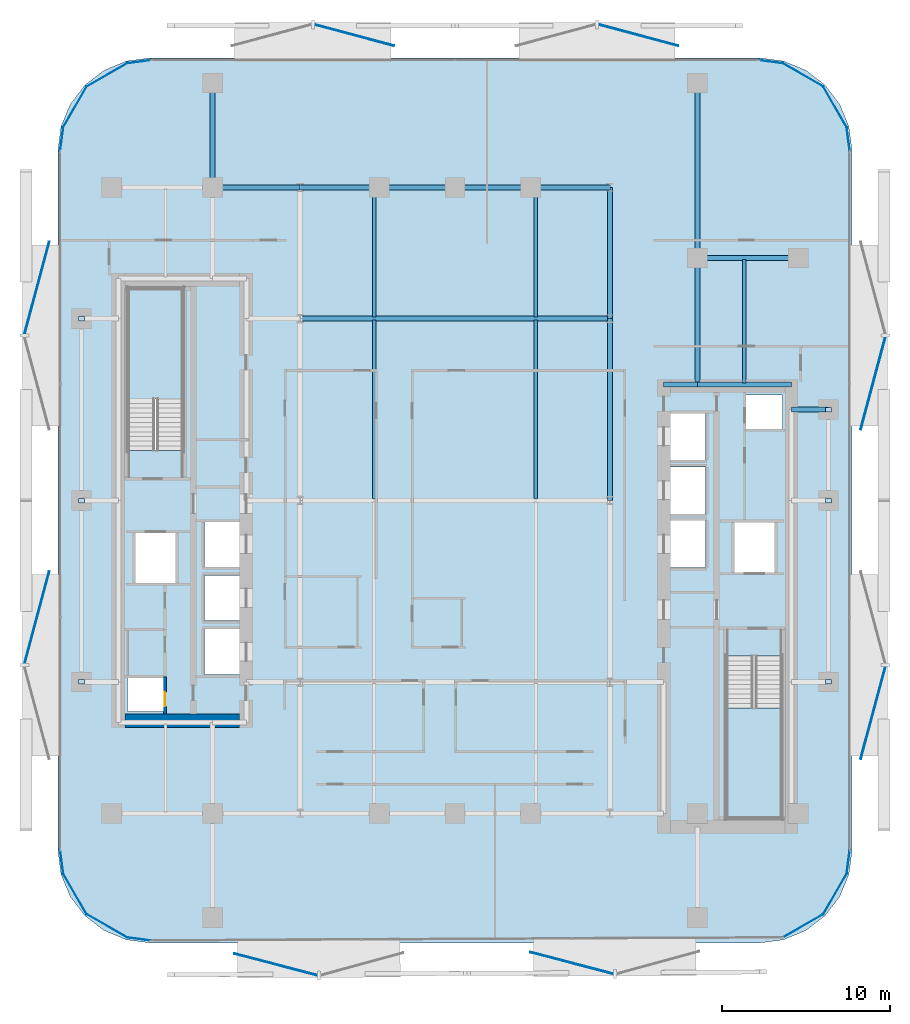
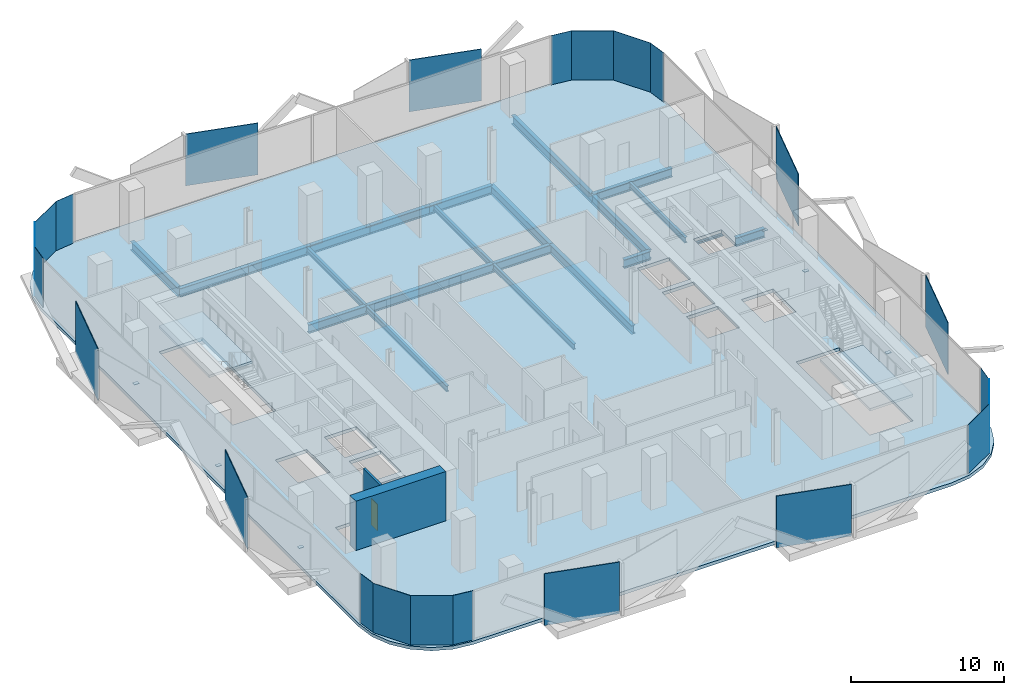
# One storey, part 2 of 15: 29 plates, 20 beams, 3 slabs, 2 walls, 1 door, 1 opening, 2 elements without a shape of their own.
"""IFC4 building model written with IfcOpenShell, lengths in metres."""

from ifc_helpers import new_model, si_unit, direction, frame, frame_2d, origin, origin_2d, place, context, subcontext, project, spatial, polyline, rectangle, i_section, outline, extrude, material, layer, layer_set, material_profile, profile_set, type_object, element, fill, aggregate, save


model = new_model("IFC4")

# Units and contexts
model_context = context("Model", 3, precision=1e-05, world=origin(), true_north=direction((0.0, 1.0)))
body_context = subcontext(model_context, "Body", "Model", "MODEL_VIEW")
ifc_project = project(units=[si_unit("LENGTHUNIT", "METRE"), si_unit("AREAUNIT", "SQUARE_METRE"), si_unit("VOLUMEUNIT", "CUBIC_METRE"), si_unit("PLANEANGLEUNIT", "RADIAN"), si_unit("MASSUNIT", "GRAM", prefix="KILO")], contexts=[model_context])

# Site, building, storey
site_placement = place(None, origin())
site = spatial("IfcSite", under=ifc_project, at=site_placement, CompositionType="ELEMENT")
building_placement = place(site_placement, origin())
building = spatial("IfcBuilding", under=site, at=building_placement, Name="Khairoan Windgate Tower", CompositionType="ELEMENT")
storey_placement = place(building_placement, frame((0.0, 0.0, 101.60009765625)))
storey = spatial("IfcBuildingStorey", under=building, at=storey_placement, Name="L23", CompositionType="ELEMENT", Elevation=101.60009765625)

# Beams
ifc_material_1 = material(Name="Steel S355", Category="steel")
ifc_material_profile_1 = material_profile(ifc_material_1, i_section(OverallWidth=0.300048828125, OverallDepth=0.699951171875, WebThickness=0.012939453125, FlangeThickness=0.02392578125, FilletRadius=0.02587890625, at=origin_2d()))
ifc_profile_set_1 = profile_set([ifc_material_profile_1], Name="Steel S355")
beam_type_1 = type_object("IfcBeamType", Name="Beam B-G3 H700x300x13x24", PredefinedType="BEAM", material=ifc_profile_set_1)
beam_1_placement = place(storey_placement, frame((20.0, 5.39990234375, -0.610107421875), z_axis=(1.0, 0.0, 0.0), x_axis=(0.0, 1.0, 0.0)))
element("IfcBeam", 1, at=beam_1_placement, inside=storey, type_object=beam_type_1, Name="L23 E-W Primary Girder 19", PredefinedType="BEAM", context=body_context, shape_type="SweptSolid", body=[
    extrude(i_section(OverallWidth=0.300048828125, OverallDepth=0.699951171875, WebThickness=0.012939453125, FlangeThickness=0.02392578125, FilletRadius=0.02587890625, at=origin_2d()), origin(), (0.0, 0.0, 1.0), 2.199951171875),
])
beam_2_placement = place(storey_placement, frame((12.39990234375, 6.89990234375, -0.610107421875), z_axis=(1.0, 0.0, 0.0), x_axis=(0.0, 1.0, 0.0)))
element("IfcBeam", 2, at=beam_2_placement, inside=storey, type_object=beam_type_1, Name="L23 E-W Primary Girder 20", PredefinedType="BEAM", context=body_context, shape_type="SweptSolid", body=[
    extrude(i_section(OverallWidth=0.300048828125, OverallDepth=0.699951171875, WebThickness=0.012939453125, FlangeThickness=0.02392578125, FilletRadius=0.02587890625, at=origin_2d()), origin(), (0.0, 0.0, 1.0), 2.0),
])
beam_3_placement = place(storey_placement, frame((14.39990234375, 6.89990234375, -0.610107421875), z_axis=(1.0, 0.0, 0.0), x_axis=(0.0, 1.0, 0.0)))
element("IfcBeam", 3, at=beam_3_placement, inside=storey, type_object=beam_type_1, Name="L23 E-W Primary Girder 21", PredefinedType="BEAM", context=body_context, shape_type="SweptSolid", body=[
    extrude(i_section(OverallWidth=0.300048828125, OverallDepth=0.699951171875, WebThickness=0.012939453125, FlangeThickness=0.02392578125, FilletRadius=0.02587890625, at=origin_2d()), origin(), (0.0, 0.0, 1.0), 5.60009765625),
])
beam_4_placement = place(storey_placement, frame((-9.199951171875, 10.800048828125, -0.610107421875), z_axis=(1.0, 0.0, 0.0), x_axis=(0.0, 1.0, 0.0)))
element("IfcBeam", 4, at=beam_4_placement, inside=storey, type_object=beam_type_1, Name="L23 E-W Primary Girder 24", PredefinedType="BEAM", context=body_context, shape_type="SweptSolid", body=[
    extrude(i_section(OverallWidth=0.300048828125, OverallDepth=0.699951171875, WebThickness=0.012939453125, FlangeThickness=0.02392578125, FilletRadius=0.02587890625, at=origin_2d()), origin(), (0.0, 0.0, 1.0), 18.39990234375),
])
beam_5_placement = place(storey_placement, frame((14.39990234375, 14.39990234375, -0.610107421875), z_axis=(1.0, 0.0, 0.0), x_axis=(0.0, 1.0, 0.0)))
element("IfcBeam", 5, at=beam_5_placement, inside=storey, type_object=beam_type_1, Name="L23 E-W Primary Girder 27", PredefinedType="BEAM", context=body_context, shape_type="SweptSolid", body=[
    extrude(i_section(OverallWidth=0.300048828125, OverallDepth=0.699951171875, WebThickness=0.012939453125, FlangeThickness=0.02392578125, FilletRadius=0.02587890625, at=origin_2d()), origin(), (0.0, 0.0, 1.0), 6.0),
])
beam_6_placement = place(storey_placement, frame((-14.39990234375, 18.60009765625, -0.610107421875), z_axis=(1.0, 0.0, 0.0), x_axis=(0.0, 1.0, 0.0)))
element("IfcBeam", 6, at=beam_6_placement, inside=storey, type_object=beam_type_1, Name="L23 E-W Primary Girder 29", PredefinedType="BEAM", context=body_context, shape_type="SweptSolid", body=[
    extrude(i_section(OverallWidth=0.300048828125, OverallDepth=0.699951171875, WebThickness=0.012939453125, FlangeThickness=0.02392578125, FilletRadius=0.02587890625, at=origin_2d()), origin(), (0.0, 0.0, 1.0), 5.199951171875),
])
beam_7_placement = place(storey_placement, frame((-9.199951171875, 18.60009765625, -0.610107421875), z_axis=(1.0, 0.0, 0.0), x_axis=(0.0, 1.0, 0.0)))
element("IfcBeam", 7, at=beam_7_placement, inside=storey, type_object=beam_type_1, Name="L23 E-W Primary Girder 30", PredefinedType="BEAM", context=body_context, shape_type="SweptSolid", body=[
    extrude(i_section(OverallWidth=0.300048828125, OverallDepth=0.699951171875, WebThickness=0.012939453125, FlangeThickness=0.02392578125, FilletRadius=0.02587890625, at=origin_2d()), origin(), (0.0, 0.0, 1.0), 4.699951171875),
])
for number, where, z_axis, x_axis, name in (
    (8, (-4.5, 18.60009765625, -0.610107421875), (1.0, 0.0, 0.0), (0.0, 1.0, 0.0), "L23 E-W Primary Girder 31"),
    (9, (0.0, 18.60009765625, -0.610107421875), (1.0, 0.0, 0.0), (0.0, 1.0, 0.0), "L23 E-W Primary Girder 32"),
):
    element("IfcBeam", number, at=place(storey_placement, frame(where, z_axis=z_axis, x_axis=x_axis)), inside=storey, type_object=beam_type_1, Name=name, PredefinedType="BEAM", context=body_context, shape_type="SweptSolid", body=[
        extrude(i_section(OverallWidth=0.300048828125, OverallDepth=0.699951171875, WebThickness=0.012939453125, FlangeThickness=0.02392578125, FilletRadius=0.02587890625, at=origin_2d()), origin(), (0.0, 0.0, 1.0), 4.5),
    ])
beam_8_placement = place(storey_placement, frame((4.5, 18.60009765625, -0.610107421875), z_axis=(1.0, 0.0, 0.0), x_axis=(0.0, 1.0, 0.0)))
element("IfcBeam", 10, at=beam_8_placement, inside=storey, type_object=beam_type_1, Name="L23 E-W Primary Girder 33", PredefinedType="BEAM", context=body_context, shape_type="SweptSolid", body=[
    extrude(i_section(OverallWidth=0.300048828125, OverallDepth=0.699951171875, WebThickness=0.012939453125, FlangeThickness=0.02392578125, FilletRadius=0.02587890625, at=origin_2d()), origin(), (0.0, 0.0, 1.0), 4.699951171875),
])
beam_9_placement = place(storey_placement, frame((-14.39990234375, 18.60009765625, -0.610107421875), z_axis=(0.0, 1.0, 0.0), x_axis=(-1.0, 0.0, 0.0)))
element("IfcBeam", 11, at=beam_9_placement, inside=storey, type_object=beam_type_1, Name="L23 N-S Primary Beam 43", PredefinedType="BEAM", context=body_context, shape_type="SweptSolid", body=[
    extrude(i_section(OverallWidth=0.300048828125, OverallDepth=0.699951171875, WebThickness=0.012939453125, FlangeThickness=0.02392578125, FilletRadius=0.02587890625, at=origin_2d()), origin(), (0.0, 0.0, 1.0), 6.199951171875),
])
beam_10_placement = place(storey_placement, frame((9.199951171875, 0.0, -0.610107421875), z_axis=(0.0, 1.0, 0.0), x_axis=(-1.0, 0.0, 0.0)))
element("IfcBeam", 12, at=beam_10_placement, inside=storey, type_object=beam_type_1, Name="L23 N-S Primary Beam 53", PredefinedType="BEAM", context=body_context, shape_type="SweptSolid", body=[
    extrude(i_section(OverallWidth=0.300048828125, OverallDepth=0.699951171875, WebThickness=0.012939453125, FlangeThickness=0.02392578125, FilletRadius=0.02587890625, at=origin_2d()), origin(), (0.0, 0.0, 1.0), 10.800048828125),
])
beam_11_placement = place(storey_placement, frame((9.199951171875, 10.800048828125, -0.610107421875), z_axis=(0.0, 1.0, 0.0), x_axis=(-1.0, 0.0, 0.0)))
element("IfcBeam", 13, at=beam_11_placement, inside=storey, type_object=beam_type_1, Name="L23 N-S Primary Beam 54", PredefinedType="BEAM", context=body_context, shape_type="SweptSolid", body=[
    extrude(i_section(OverallWidth=0.300048828125, OverallDepth=0.699951171875, WebThickness=0.012939453125, FlangeThickness=0.02392578125, FilletRadius=0.02587890625, at=origin_2d()), origin(), (0.0, 0.0, 1.0), 7.800048828125),
])
beam_12_placement = place(storey_placement, frame((14.39990234375, 6.89990234375, -0.610107421875), z_axis=(0.0, 1.0, 0.0), x_axis=(-1.0, 0.0, 0.0)))
element("IfcBeam", 14, at=beam_12_placement, inside=storey, type_object=beam_type_1, Name="L23 N-S Primary Beam 57", PredefinedType="BEAM", context=body_context, shape_type="SweptSolid", body=[
    extrude(i_section(OverallWidth=0.300048828125, OverallDepth=0.699951171875, WebThickness=0.012939453125, FlangeThickness=0.02392578125, FilletRadius=0.02587890625, at=origin_2d()), origin(), (0.0, 0.0, 1.0), 7.5),
])
beam_13_placement = place(storey_placement, frame((14.39990234375, 14.39990234375, -0.610107421875), z_axis=(0.0, 1.0, 0.0), x_axis=(-1.0, 0.0, 0.0)))
element("IfcBeam", 15, at=beam_13_placement, inside=storey, type_object=beam_type_1, Name="L23 N-S Primary Beam 58", PredefinedType="BEAM", context=body_context, shape_type="SweptSolid", body=[
    extrude(i_section(OverallWidth=0.300048828125, OverallDepth=0.699951171875, WebThickness=0.012939453125, FlangeThickness=0.02392578125, FilletRadius=0.02587890625, at=origin_2d()), origin(), (0.0, 0.0, 1.0), 10.400146484375),
])
ifc_material_2 = material(Name="Steel S355", Category="steel")
ifc_material_profile_2 = material_profile(ifc_material_2, i_section(OverallWidth=0.199951171875, OverallDepth=0.449951171875, WebThickness=0.009033203125, FlangeThickness=0.013916015625, FilletRadius=0.01806640625, at=origin_2d()))
ifc_profile_set_2 = profile_set([ifc_material_profile_2], Name="Steel S355")
beam_type_2 = type_object("IfcBeamType", Name="Beam J-S3 H450x200x9x14", PredefinedType="JOIST", material=ifc_profile_set_2)
beam_14_placement = place(storey_placement, frame((-4.800048828125, 0.090087890625, -0.485107421875), z_axis=(0.0, 1.0, 0.0), x_axis=(-1.0, 0.0, 0.0)))
element("IfcBeam", 16, at=beam_14_placement, inside=storey, type_object=beam_type_2, Name="L23 Secondary Floor Joist 05", PredefinedType="JOIST", context=body_context, shape_type="SweptSolid", body=[
    extrude(i_section(OverallWidth=0.199951171875, OverallDepth=0.449951171875, WebThickness=0.009033203125, FlangeThickness=0.013916015625, FilletRadius=0.01806640625, at=origin_2d()), origin(), (0.0, 0.0, 1.0), 10.619873046875),
])
beam_15_placement = place(storey_placement, frame((-4.800048828125, 10.889892578125, -0.485107421875), z_axis=(0.0, 1.0, 0.0), x_axis=(-1.0, 0.0, 0.0)))
element("IfcBeam", 17, at=beam_15_placement, inside=storey, type_object=beam_type_2, Name="L23 Secondary Floor Joist 06", PredefinedType="JOIST", context=body_context, shape_type="SweptSolid", body=[
    extrude(i_section(OverallWidth=0.199951171875, OverallDepth=0.449951171875, WebThickness=0.009033203125, FlangeThickness=0.013916015625, FilletRadius=0.01806640625, at=origin_2d()), origin(), (0.0, 0.0, 1.0), 7.6201171875),
])
beam_16_placement = place(storey_placement, frame((4.800048828125, 0.090087890625, -0.485107421875), z_axis=(0.0, 1.0, 0.0), x_axis=(-1.0, 0.0, 0.0)))
element("IfcBeam", 18, at=beam_16_placement, inside=storey, type_object=beam_type_2, Name="L23 Secondary Floor Joist 09", PredefinedType="JOIST", context=body_context, shape_type="SweptSolid", body=[
    extrude(i_section(OverallWidth=0.199951171875, OverallDepth=0.449951171875, WebThickness=0.009033203125, FlangeThickness=0.013916015625, FilletRadius=0.01806640625, at=origin_2d()), origin(), (0.0, 0.0, 1.0), 10.619873046875),
])
beam_17_placement = place(storey_placement, frame((4.800048828125, 10.889892578125, -0.485107421875), z_axis=(0.0, 1.0, 0.0), x_axis=(-1.0, 0.0, 0.0)))
element("IfcBeam", 19, at=beam_17_placement, inside=storey, type_object=beam_type_2, Name="L23 Secondary Floor Joist 10", PredefinedType="JOIST", context=body_context, shape_type="SweptSolid", body=[
    extrude(i_section(OverallWidth=0.199951171875, OverallDepth=0.449951171875, WebThickness=0.009033203125, FlangeThickness=0.013916015625, FilletRadius=0.01806640625, at=origin_2d()), origin(), (0.0, 0.0, 1.0), 7.6201171875),
])
beam_18_placement = place(storey_placement, frame((17.199951171875, 6.989990234375, -0.485107421875), z_axis=(0.0, 1.0, 0.0), x_axis=(-1.0, 0.0, 0.0)))
element("IfcBeam", 20, at=beam_18_placement, inside=storey, type_object=beam_type_2, Name="L23 Secondary Floor Joist 11", PredefinedType="JOIST", context=body_context, shape_type="SweptSolid", body=[
    extrude(i_section(OverallWidth=0.199951171875, OverallDepth=0.449951171875, WebThickness=0.009033203125, FlangeThickness=0.013916015625, FilletRadius=0.01806640625, at=origin_2d()), origin(), (0.0, 0.0, 1.0), 7.320068359375),
])

# Plates
ifc_material_3 = material(Name="Low-E Solar Control Laminated Glass", Category="glass")
ifc_layer_1 = layer(ifc_material_3, 0.030029296875, Name="Low-E Solar Control Laminated Glass")
ifc_layer_set_1 = layer_set([ifc_layer_1], Name="Low-E Solar Control Laminated Glass")
plate_type_1 = type_object("IfcPlateType", Name="Aerodynamic Wind-Corner Curved Glazing Plate", PredefinedType="USERDEFINED", material=ifc_layer_set_1)
plate_placement = place(storey_placement, frame((-18.788818359375, -26.068115234375, 0.0), z_axis=(0.0, 0.0, 1.0), x_axis=(-0.991444861374, 0.13052619222, 0.0)))
element("IfcPlate", 21, at=plate_placement, inside=storey, type_object=plate_type_1, Name="L23 Aerodynamic Wind-Corner Curved Glazing Panel 2", ObjectType="GLAZING PANEL", PredefinedType="USERDEFINED", context=body_context, shape_type="SweptSolid", body=[
    extrude(rectangle(XDim=1.4482421875, YDim=0.028076171875, at=origin_2d()), origin(), (0.0, 0.0, 1.0), 3.93994140625),
])
for number, where, z_axis, x_axis, name in (
    (22, (-20.688232421875, -25.28271484375, 0.0), (0.0, 0.0, 1.0), (-0.866025403784, 0.5, 0.0), "L23 Aerodynamic Wind-Corner Curved Glazing Panel 3"),
    (23, (-22.582763671875, -23.38818359375, 0.0), (0.0, 0.0, 1.0), (-0.5, 0.866025403784, 0.0), "L23 Aerodynamic Wind-Corner Curved Glazing Panel 4"),
):
    element("IfcPlate", number, at=place(storey_placement, frame(where, z_axis=z_axis, x_axis=x_axis)), inside=storey, type_object=plate_type_1, Name=name, ObjectType="GLAZING PANEL", PredefinedType="USERDEFINED", context=body_context, shape_type="SweptSolid", body=[
        extrude(rectangle(XDim=2.81396484375, YDim=0.028076171875, at=origin_2d()), origin(), (0.0, 0.0, 1.0), 3.93994140625),
    ])
for number, where, z_axis, x_axis, name in (
    (24, (-23.3681640625, -21.489013671875, 0.0), (0.0, 0.0, 1.0), (-0.13052619222, 0.991444861374, 0.0), "L23 Aerodynamic Wind-Corner Curved Glazing Panel 5"),
    (25, (-23.3681640625, 21.489013671875, 0.0), (0.0, 0.0, 1.0), (0.13052619222, 0.991444861374, 0.0), "L23 Aerodynamic Wind-Corner Curved Glazing Panel 7"),
):
    element("IfcPlate", number, at=place(storey_placement, frame(where, z_axis=z_axis, x_axis=x_axis)), inside=storey, type_object=plate_type_1, Name=name, ObjectType="GLAZING PANEL", PredefinedType="USERDEFINED", context=body_context, shape_type="SweptSolid", body=[
        extrude(rectangle(XDim=1.4482421875, YDim=0.028076171875, at=origin_2d()), origin(), (0.0, 0.0, 1.0), 3.93994140625),
    ])
for number, where, z_axis, x_axis, name in (
    (26, (-22.582763671875, 23.38818359375, 0.0), (0.0, 0.0, 1.0), (0.5, 0.866025403784, 0.0), "L23 Aerodynamic Wind-Corner Curved Glazing Panel 8"),
    (27, (-20.688232421875, 25.28271484375, 0.0), (0.0, 0.0, 1.0), (0.866025403784, 0.5, 0.0), "L23 Aerodynamic Wind-Corner Curved Glazing Panel 9"),
):
    element("IfcPlate", number, at=place(storey_placement, frame(where, z_axis=z_axis, x_axis=x_axis)), inside=storey, type_object=plate_type_1, Name=name, ObjectType="GLAZING PANEL", PredefinedType="USERDEFINED", context=body_context, shape_type="SweptSolid", body=[
        extrude(rectangle(XDim=2.81396484375, YDim=0.028076171875, at=origin_2d()), origin(), (0.0, 0.0, 1.0), 3.93994140625),
    ])
for number, where, z_axis, x_axis, name in (
    (28, (-18.788818359375, 26.068115234375, 0.0), (0.0, 0.0, 1.0), (0.991444861374, 0.13052619222, 0.0), "L23 Aerodynamic Wind-Corner Curved Glazing Panel 10"),
    (29, (18.788818359375, 26.068115234375, 0.0), (0.0, 0.0, 1.0), (0.991444861374, -0.13052619222, 0.0), "L23 Aerodynamic Wind-Corner Curved Glazing Panel 12"),
):
    element("IfcPlate", number, at=place(storey_placement, frame(where, z_axis=z_axis, x_axis=x_axis)), inside=storey, type_object=plate_type_1, Name=name, ObjectType="GLAZING PANEL", PredefinedType="USERDEFINED", context=body_context, shape_type="SweptSolid", body=[
        extrude(rectangle(XDim=1.4482421875, YDim=0.028076171875, at=origin_2d()), origin(), (0.0, 0.0, 1.0), 3.93994140625),
    ])
for number, where, z_axis, x_axis, name in (
    (30, (20.688232421875, 25.28271484375, 0.0), (0.0, 0.0, 1.0), (0.866025403784, -0.5, 0.0), "L23 Aerodynamic Wind-Corner Curved Glazing Panel 13"),
    (31, (22.582763671875, 23.38818359375, 0.0), (0.0, 0.0, 1.0), (0.5, -0.866025403784, 0.0), "L23 Aerodynamic Wind-Corner Curved Glazing Panel 14"),
):
    element("IfcPlate", number, at=place(storey_placement, frame(where, z_axis=z_axis, x_axis=x_axis)), inside=storey, type_object=plate_type_1, Name=name, ObjectType="GLAZING PANEL", PredefinedType="USERDEFINED", context=body_context, shape_type="SweptSolid", body=[
        extrude(rectangle(XDim=2.81396484375, YDim=0.028076171875, at=origin_2d()), origin(), (0.0, 0.0, 1.0), 3.93994140625),
    ])
for number, where, z_axis, x_axis, name in (
    (32, (23.3681640625, 21.489013671875, 0.0), (0.0, 0.0, 1.0), (0.13052619222, -0.991444861374, 0.0), "L23 Aerodynamic Wind-Corner Curved Glazing Panel 15"),
    (33, (23.3681640625, -21.489013671875, 0.0), (0.0, 0.0, 1.0), (-0.13052619222, -0.991444861374, 0.0), "L23 Aerodynamic Wind-Corner Curved Glazing Panel 17"),
):
    element("IfcPlate", number, at=place(storey_placement, frame(where, z_axis=z_axis, x_axis=x_axis)), inside=storey, type_object=plate_type_1, Name=name, ObjectType="GLAZING PANEL", PredefinedType="USERDEFINED", context=body_context, shape_type="SweptSolid", body=[
        extrude(rectangle(XDim=1.4482421875, YDim=0.028076171875, at=origin_2d()), origin(), (0.0, 0.0, 1.0), 3.93994140625),
    ])
for number, where, z_axis, x_axis, name in (
    (34, (22.582763671875, -23.38818359375, 0.0), (0.0, 0.0, 1.0), (-0.5, -0.866025403784, 0.0), "L23 Aerodynamic Wind-Corner Curved Glazing Panel 18"),
    (35, (20.688232421875, -25.28271484375, 0.0), (0.0, 0.0, 1.0), (-0.866025403784, -0.5, 0.0), "L23 Aerodynamic Wind-Corner Curved Glazing Panel 19"),
):
    element("IfcPlate", number, at=place(storey_placement, frame(where, z_axis=z_axis, x_axis=x_axis)), inside=storey, type_object=plate_type_1, Name=name, ObjectType="GLAZING PANEL", PredefinedType="USERDEFINED", context=body_context, shape_type="SweptSolid", body=[
        extrude(rectangle(XDim=2.81396484375, YDim=0.028076171875, at=origin_2d()), origin(), (0.0, 0.0, 1.0), 3.93994140625),
    ])
ifc_material_4 = material(Name="Steel S355", Category="steel")
ifc_layer_2 = layer(ifc_material_4, 0.0400390625, Name="Steel S355")
ifc_layer_set_2 = layer_set([ifc_layer_2], Name="Steel S355")
plate_type_2 = type_object("IfcPlateType", Name="Hollow Section End-Cap Plate PL-CAP40", PredefinedType="SHEET", material=ifc_layer_set_2)
for number, where, z_axis, x_axis, name in (
    (36, (-22.199951171875, -10.784912109375, -0.455078125), (0.0, 0.0, 1.0), (0.0, 1.0, 0.0), "BM-SP-L23-034 steel end-cap plate 1"),
    (37, (-22.199951171875, -0.014892578125, -0.455078125), (0.0, 0.0, 1.0), (0.0, 1.0, 0.0), "BM-SP-L23-034 steel end-cap plate 2"),
    (38, (-22.199951171875, 10.784912109375, -0.455078125), (0.0, 0.0, 1.0), (0.0, 1.0, 0.0), "BM-SP-L23-035 steel end-cap plate 2"),
    (39, (22.199951171875, -10.784912109375, -0.455078125), (0.0, 0.0, 1.0), (0.0, 1.0, 0.0), "BM-SP-L23-062 steel end-cap plate 1"),
    (40, (22.199951171875, -0.014892578125, -0.455078125), (0.0, 0.0, 1.0), (0.0, 1.0, 0.0), "BM-SP-L23-062 steel end-cap plate 2"),
    (41, (22.199951171875, 5.385009765625, -0.455078125), (0.0, 0.0, 1.0), (0.0, 1.0, 0.0), "BM-SP-L23-063 steel end-cap plate 2"),
):
    element("IfcPlate", number, at=place(storey_placement, frame(where, z_axis=z_axis, x_axis=x_axis)), inside=storey, type_object=plate_type_2, Name=name, PredefinedType="SHEET", context=body_context, shape_type="SweptSolid", body=[
        extrude(rectangle(XDim=0.27001953125, YDim=0.3701171875, at=origin_2d()), origin(), (0.0, 0.0, 1.0), 0.0400390625),
    ])
ifc_material_5 = material(Name="Anodised Bronze Aluminium 6063-T6", Category="aluminium")
ifc_layer_3 = layer(ifc_material_5, 0.054931640625, Name="Anodised Bronze Aluminium 6063-T6")
ifc_layer_set_3 = layer_set([ifc_layer_3], Name="Anodised Bronze Aluminium 6063-T6")
plate_type_3 = type_object("IfcPlateType", Name="Perforated Bronze Solar Screen Panel BSP-1", PredefinedType="USERDEFINED", material=ifc_layer_set_3)
for number, where, z_axis, x_axis, name in (
    (42, (6.946044921875, -27.497314453125, -0.10009765625), (0.0, 0.0, 1.0), (-0.967179115616, 0.254095569259, 0.0), "L23 Perforated Bronze Solar Screen Panel 129R"),
    (43, (-10.642822265625, -27.58349609375, -0.10009765625), (0.0, 0.0, 1.0), (-0.967179115616, 0.254095569259, 0.0), "L23 Perforated Bronze Solar Screen Panel 130R"),
):
    element("IfcPlate", number, at=place(storey_placement, frame(where, z_axis=z_axis, x_axis=x_axis)), inside=storey, type_object=plate_type_3, Name=name, ObjectType="SCREEN", PredefinedType="USERDEFINED", context=body_context, shape_type="SweptSolid", body=[
        extrude(rectangle(XDim=5.10107421875, YDim=0.054931640625, at=origin_2d()), origin(), (0.0, 0.0, 1.0), 4.139892578125),
    ])
for number, where, z_axis, x_axis, name in (
    (44, (-24.8447265625, -6.961669921875, -0.10009765625), (0.0, 0.0, 1.0), (0.258819045103, 0.965925826289, 0.0), "L23 Perforated Bronze Solar Screen Panel 131R"),
    (45, (-24.8447265625, 12.629150390625, -0.10009765625), (0.0, 0.0, 1.0), (0.258819045103, 0.965925826289, 0.0), "L23 Perforated Bronze Solar Screen Panel 132R"),
):
    element("IfcPlate", number, at=place(storey_placement, frame(where, z_axis=z_axis, x_axis=x_axis)), inside=storey, type_object=plate_type_3, Name=name, ObjectType="SCREEN", PredefinedType="USERDEFINED", context=body_context, shape_type="SweptSolid", body=[
        extrude(rectangle(XDim=5.680908203125, YDim=0.054931640625, at=origin_2d()), origin(), (0.0, 0.0, 1.0), 4.139892578125),
    ])
for number, where, z_axis, x_axis, name in (
    (46, (-5.98974609375, 27.646240234375, -0.10009765625), (0.0, 0.0, 1.0), (0.965925826289, -0.258819045103, 0.0), "L23 Perforated Bronze Solar Screen Panel 133R"),
    (47, (10.90087890625, 27.646240234375, -0.10009765625), (0.0, 0.0, 1.0), (0.965925826289, -0.258819045103, 0.0), "L23 Perforated Bronze Solar Screen Panel 134R"),
):
    element("IfcPlate", number, at=place(storey_placement, frame(where, z_axis=z_axis, x_axis=x_axis)), inside=storey, type_object=plate_type_3, Name=name, ObjectType="SCREEN", PredefinedType="USERDEFINED", context=body_context, shape_type="SweptSolid", body=[
        extrude(rectangle(XDim=4.89794921875, YDim=0.054931640625, at=origin_2d()), origin(), (0.0, 0.0, 1.0), 4.139892578125),
    ])
for number, where, z_axis, x_axis, name in (
    (48, (24.8447265625, 6.961669921875, -0.10009765625), (0.0, 0.0, 1.0), (-0.258819045103, -0.965925826289, 0.0), "L23 Perforated Bronze Solar Screen Panel 135R"),
    (49, (24.8447265625, -12.629150390625, -0.10009765625), (0.0, 0.0, 1.0), (-0.258819045103, -0.965925826289, 0.0), "L23 Perforated Bronze Solar Screen Panel 136R"),
):
    element("IfcPlate", number, at=place(storey_placement, frame(where, z_axis=z_axis, x_axis=x_axis)), inside=storey, type_object=plate_type_3, Name=name, ObjectType="SCREEN", PredefinedType="USERDEFINED", context=body_context, shape_type="SweptSolid", body=[
        extrude(rectangle(XDim=5.680908203125, YDim=0.054931640625, at=origin_2d()), origin(), (0.0, 0.0, 1.0), 4.139892578125),
    ])

# Stair, slab
ifc_material_6 = material(Name="Concrete C40/50", Category="concrete")
stair_type = type_object("IfcStairType", Name="Tower Core Dog-Leg Stair ST-T1 1560mm", PredefinedType="HALF_TURN_STAIR", material=ifc_material_6)
stair_1_placement = place(storey_placement, origin())
stair_1 = element("IfcStair", 50, at=stair_1_placement, inside=storey, type_object=stair_type, Name="L23 Stair ST1", PredefinedType="HALF_TURN_STAIR")
ifc_material_7 = material(Name="Concrete C40/50", Category="concrete")
ifc_layer_4 = layer(ifc_material_7, 0.199951171875, Name="Concrete C40/50")
ifc_layer_set_4 = layer_set([ifc_layer_4], Name="Concrete C40/50")
slab_type_1 = type_object("IfcSlabType", Name="Reinforced Concrete Stair Landing Slab STL-200", PredefinedType="LANDING", material=ifc_layer_set_4)
slab_1_placement = place(storey_placement, frame((0.0, 0.0, 1.89990234375)))
slab_1 = element("IfcSlab", 51, at=slab_1_placement, type_object=slab_type_1, Name="ST1 landing 1", PredefinedType="LANDING", context=body_context, shape_type="SweptSolid", body=[
    extrude(outline(polyline([(16.14990234375, -12.340087890625), (16.14990234375, -18.89990234375), (19.419921875, -18.89990234375), (19.419921875, -12.340087890625), (16.14990234375, -12.340087890625)])), origin(), (0.0, 0.0, 1.0), 0.199951171875),
])
aggregate(stair_1, [slab_1])

stair_2_placement = place(storey_placement, origin())
stair_2 = element("IfcStair", 52, at=stair_2_placement, inside=storey, type_object=stair_type, Name="L23 Stair ST2", PredefinedType="HALF_TURN_STAIR")
slab_2_placement = place(storey_placement, frame((0.0, 0.0, 1.89990234375)))
slab_2 = element("IfcSlab", 53, at=slab_2_placement, type_object=slab_type_1, Name="ST2 landing 1", PredefinedType="LANDING", context=body_context, shape_type="SweptSolid", body=[
    extrude(outline(polyline([(-16.14990234375, 6.0400390625), (-16.14990234375, 12.60009765625), (-19.419921875, 12.60009765625), (-19.419921875, 6.0400390625), (-16.14990234375, 6.0400390625)])), origin(), (0.0, 0.0, 1.0), 0.199951171875),
])
aggregate(stair_2, [slab_2])

# Slab
ifc_material_8 = material(Name="Concrete C40/50", Category="concrete")
ifc_layer_5 = layer(ifc_material_8, 0.260009765625, Name="Concrete C40/50")
ifc_layer_set_5 = layer_set([ifc_layer_5], Name="Concrete C40/50")
slab_type_2 = type_object("IfcSlabType", Name="Tower Composite Floor Slab FS2 260mm", PredefinedType="FLOOR", material=ifc_layer_set_5)
slab_3_placement = place(storey_placement, frame((0.0, 0.0, -0.260009765625)))
element("IfcSlab", 54, at=slab_3_placement, inside=storey, type_object=slab_type_2, Name="L23 Structural Floor Slab", PredefinedType="FLOOR", context=body_context, shape_type="SweptSolid", body=[
    extrude(outline(polyline([(18.10009765625, -26.300048828125), (19.5234375, -26.112548828125), (20.85009765625, -25.56298828125), (21.989013671875, -24.689208984375), (22.863037109375, -23.550048828125), (23.41259765625, -22.223388671875), (23.60009765625, -20.800048828125), (23.60009765625, 20.800048828125), (23.41259765625, 22.223388671875), (22.863037109375, 23.550048828125), (21.989013671875, 24.689208984375), (20.85009765625, 25.56298828125), (19.5234375, 26.112548828125), (18.10009765625, 26.300048828125), (-18.10009765625, 26.300048828125), (-19.5234375, 26.112548828125), (-20.85009765625, 25.56298828125), (-21.989013671875, 24.689208984375), (-22.863037109375, 23.550048828125), (-23.41259765625, 22.223388671875), (-23.60009765625, 20.800048828125), (-23.60009765625, -20.800048828125), (-23.41259765625, -22.223388671875), (-22.863037109375, -23.550048828125), (-21.989013671875, -24.689208984375), (-20.85009765625, -25.56298828125), (-19.5234375, -26.112548828125), (-18.10009765625, -26.300048828125), (18.10009765625, -26.300048828125)]), holes=[polyline([(16.14990234375, -9.260009765625), (16.14990234375, -18.89990234375), (19.419921875, -18.89990234375), (19.419921875, -9.260009765625), (16.14990234375, -9.260009765625)]), polyline([(-16.14990234375, 2.9599609375), (-16.14990234375, 12.60009765625), (-19.419921875, 12.60009765625), (-19.419921875, 2.9599609375), (-16.14990234375, 2.9599609375)]), polyline([(-14.89990234375, -3.949951171875), (-12.5, -3.949951171875), (-12.5, -1.25), (-14.89990234375, -1.25), (-14.89990234375, -3.949951171875)]), polyline([(-14.89990234375, -7.14990234375), (-12.5, -7.14990234375), (-12.5, -4.449951171875), (-14.89990234375, -4.449951171875), (-14.89990234375, -7.14990234375)]), polyline([(-14.89990234375, -10.35009765625), (-12.5, -10.35009765625), (-12.5, -7.64990234375), (-14.89990234375, -7.64990234375), (-14.89990234375, -10.35009765625)]), polyline([(12.5, 2.39990234375), (14.89990234375, 2.39990234375), (14.89990234375, 5.199951171875), (12.5, 5.199951171875), (12.5, 2.39990234375)]), polyline([(12.5, -0.800048828125), (14.89990234375, -0.800048828125), (14.89990234375, 2.0), (12.5, 2.0), (12.5, -0.800048828125)]), polyline([(12.5, -4.0), (14.89990234375, -4.0), (14.89990234375, -1.199951171875), (12.5, -1.199951171875), (12.5, -4.0)]), polyline([(16.60009765625, -4.300048828125), (19.0, -4.300048828125), (19.0, -1.300048828125), (16.60009765625, -1.300048828125), (16.60009765625, -4.300048828125)]), polyline([(-19.0, -4.89990234375), (-16.60009765625, -4.89990234375), (-16.60009765625, -1.89990234375), (-19.0, -1.89990234375), (-19.0, -4.89990234375)]), polyline([(-19.449951171875, -12.550048828125), (-17.31005859375, -12.550048828125), (-17.31005859375, -10.550048828125), (-19.449951171875, -10.550048828125), (-19.449951171875, -12.550048828125)]), polyline([(17.31005859375, 4.25), (19.449951171875, 4.25), (19.449951171875, 6.25), (17.31005859375, 6.25), (17.31005859375, 4.25)])]), origin(), (0.0, 0.0, 1.0), 0.260009765625),
])

# Wall, opening, door
ifc_material_9 = material(Name="Concrete C40/50", Category="concrete")
ifc_layer_6 = layer(ifc_material_9, 0.159912109375, Name="Concrete C40/50")
ifc_layer_set_6 = layer_set([ifc_layer_6], Name="Concrete C40/50")
wall_type_1 = type_object("IfcWallType", Name="Plant and Refuge Compartment Wall", PredefinedType="PARTITIONING", material=ifc_layer_set_6)
wall_1_placement = place(storey_placement, frame((-17.22998046875, -12.699951171875, 0.0), z_axis=(0.0, 0.0, 1.0), x_axis=(0.0, 1.0, 0.0)))
wall_1 = element("IfcWall", 55, at=wall_1_placement, inside=storey, type_object=wall_type_1, Name="L23 Interior Partition 001", PredefinedType="PARTITIONING", context=body_context, shape_type="SweptSolid", body=[
    extrude(rectangle(XDim=2.22998046875, YDim=0.159912109375, at=frame_2d((1.114990234375, 0.0))), origin(), (0.0, 0.0, 1.0), 3.93994140625),
])
opening_placement = place(wall_1_placement, frame((0.4599609375, 0.0, 0.0)))
opening = element("IfcOpeningElement", 56, at=opening_placement, cuts=wall_1, Name="Opening FD-SRV", PredefinedType="OPENING", context=body_context, shape_type="SweptSolid", body=[
    extrude(rectangle(XDim=0.85009765625, YDim=2.10009765625, at=frame_2d((0.425048828125, 1.050048828125))), frame((0.0, 0.08984375, 0.0), z_axis=(0.0, -1.0, 0.0), x_axis=(1.0, 0.0, 0.0)), (0.0, 0.0, 1.0), 0.179931640625),
])
ifc_material_10 = material(Name="Steel S355", Category="steel")
door_type = type_object("IfcDoorType", Name="Core Service and Riser Fire Door FD-SRV 850x2100", OperationType="NOTDEFINED", PredefinedType="DOOR", material=ifc_material_10)
door_placement = place(opening_placement, origin())
door = element("IfcDoor", 57, at=door_placement, inside=storey, type_object=door_type, Name="L23 L23-04-L23-05 Door", OperationType="SINGLE_SWING_LEFT", OverallHeight=2.10009765625, OverallWidth=0.85009765625, PredefinedType="DOOR", context=body_context, shape_type="SweptSolid", body=[
    extrude(rectangle(XDim=0.85009765625, YDim=2.10009765625, at=frame_2d((0.425048828125, 1.050048828125))), frame((0.0, 0.02490234375, 0.0), z_axis=(0.0, -1.0, 0.0), x_axis=(1.0, 0.0, 0.0)), (0.0, 0.0, 1.0), 0.050048828125),
])
fill(opening, door)

# Wall
ifc_material_11 = material(Name="Concrete C70/85", Category="concrete")
ifc_layer_7 = layer(ifc_material_11, 0.800048828125, Name="Concrete C70/85")
ifc_layer_set_7 = layer_set([ifc_layer_7], Name="Concrete C70/85")
wall_type_2 = type_object("IfcWallType", Name="Shear Wall CW-W1 800mm", PredefinedType="SHEAR", material=ifc_layer_set_7)
wall_2_placement = place(storey_placement, frame((-19.60009765625, -13.10009765625, 0.0), z_axis=(0.0, 0.0, 1.0), x_axis=(1.0, 0.0, 0.0)))
element("IfcWall", 58, at=wall_2_placement, inside=storey, type_object=wall_type_2, Name="W Core South Shear Wall L23", PredefinedType="SHEAR", context=body_context, shape_type="SweptSolid", body=[
    extrude(rectangle(XDim=6.800048828125, YDim=0.800048828125, at=frame_2d((3.39990234375, 0.0))), origin(), (0.0, 0.0, 1.0), 3.93994140625),
])

save(model, "model.ifc")
